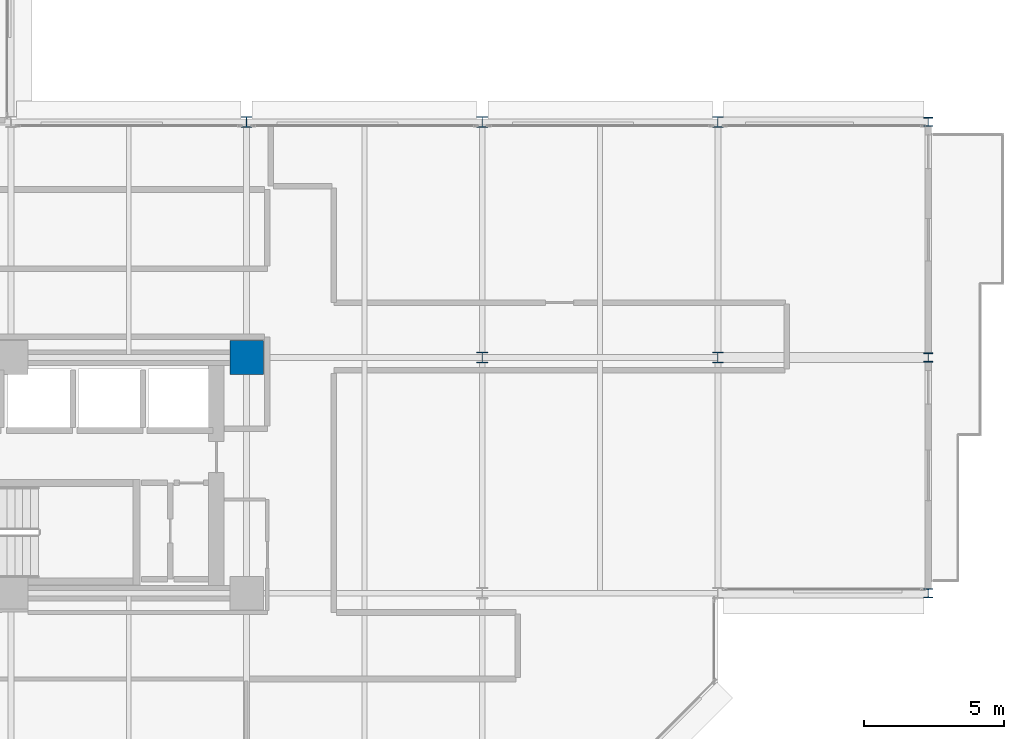
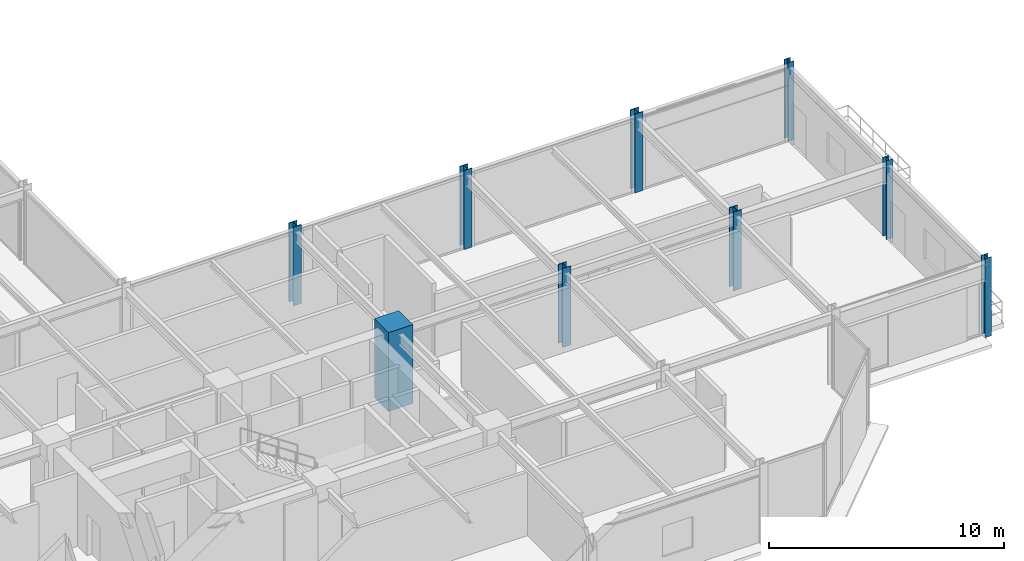
# One storey, part 2 of 39: 9 columns.
"""IFC4 building model written with IfcOpenShell, lengths in metres."""

from ifc_helpers import new_model, si_unit, direction, frame, origin, origin_2d, place, context, subcontext, project, spatial, rectangle, i_section, extrude, material, material_profile, profile_set, type_object, element, save


model = new_model("IFC4")

# Units and contexts
model_context = context("Model", 3, precision=1e-05, world=origin(), true_north=direction((0.0, 1.0)))
body_context = subcontext(model_context, "Body", "Model", "MODEL_VIEW")
ifc_project = project(units=[si_unit("LENGTHUNIT", "METRE"), si_unit("AREAUNIT", "SQUARE_METRE"), si_unit("VOLUMEUNIT", "CUBIC_METRE"), si_unit("PLANEANGLEUNIT", "RADIAN"), si_unit("MASSUNIT", "GRAM", prefix="KILO")], contexts=[model_context])

# Site, building, storey
site_placement = place(None, origin())
site = spatial("IfcSite", under=ifc_project, at=site_placement, CompositionType="ELEMENT")
building_placement = place(site_placement, origin())
building = spatial("IfcBuilding", under=site, at=building_placement, Name="Nerrivon Quay Data Exchange", CompositionType="ELEMENT")
storey_placement = place(building_placement, frame((0.0, 0.0, 104.89990234375)))
storey = spatial("IfcBuildingStorey", under=building, at=storey_placement, Name="L24", CompositionType="ELEMENT", Elevation=104.89990234375)

# Columns
ifc_material_1 = material(Name="Concrete S65 (65 MPa)", Category="concrete")
ifc_material_profile_1 = material_profile(ifc_material_1, rectangle(XDim=1.199951171875, YDim=1.199951171875, at=origin_2d()), Name="RC-COL-1200x1200")
ifc_profile_set_1 = profile_set([ifc_material_profile_1], Name="Concrete S65 (65 MPa)")
column_type_1 = type_object("IfcColumnType", Name="COL-C3-1200", PredefinedType="COLUMN", material=ifc_profile_set_1)
column_placement = place(storey_placement, frame((33.60009765625, 16.800048828125, 0.0), z_axis=(0.0, 0.0, 1.0), x_axis=(1.0, 0.0, 0.0)))
element("IfcColumn", 1, at=column_placement, inside=storey, type_object=column_type_1, Name="L24 Column (33.6,16.8)", PredefinedType="COLUMN", context=body_context, shape_type="SweptSolid", body=[
    extrude(rectangle(XDim=1.199951171875, YDim=1.199951171875, at=origin_2d()), origin(), (0.0, 0.0, 1.0), 4.10009765625),
])
ifc_material_2 = material(Name="Steel Grade 350", Category="steel")
ifc_material_profile_2 = material_profile(ifc_material_2, i_section(OverallWidth=0.39990234375, OverallDepth=0.39990234375, WebThickness=0.02490234375, FlangeThickness=0.0400390625, at=origin_2d()), Name="400WC328")
ifc_profile_set_2 = profile_set([ifc_material_profile_2], Name="Steel Grade 350")
column_type_2 = type_object("IfcColumnType", Name="COL-SC2-400WC", PredefinedType="COLUMN", material=ifc_profile_set_2)
for number, where, z_axis, x_axis, name in (
    (2, (33.60009765625, 25.199951171875, 0.0), (0.0, 0.0, 1.0), (1.0, 0.0, 0.0), "L24 Column (33.6,25.2)"),
    (3, (42.0, 16.800048828125, 0.0), (0.0, 0.0, 1.0), (1.0, 0.0, 0.0), "L24 Column (42.0,16.8)"),
    (4, (42.0, 25.199951171875, 0.0), (0.0, 0.0, 1.0), (1.0, 0.0, 0.0), "L24 Column (42.0,25.2)"),
    (5, (50.39990234375, 16.800048828125, 0.0), (0.0, 0.0, 1.0), (1.0, 0.0, 0.0), "L24 Column (50.4,16.8)"),
    (6, (50.39990234375, 25.199951171875, 0.0), (0.0, 0.0, 1.0), (1.0, 0.0, 0.0), "L24 Column (50.4,25.2)"),
):
    element("IfcColumn", number, at=place(storey_placement, frame(where, z_axis=z_axis, x_axis=x_axis)), inside=storey, type_object=column_type_2, Name=name, PredefinedType="COLUMN", context=body_context, shape_type="SweptSolid", body=[
        extrude(i_section(OverallWidth=0.39990234375, OverallDepth=0.39990234375, WebThickness=0.02490234375, FlangeThickness=0.0400390625, at=origin_2d()), origin(), (0.0, 0.0, 1.0), 4.10009765625),
    ])
ifc_material_profile_3 = material_profile(ifc_material_2, i_section(OverallWidth=0.31103515625, OverallDepth=0.326904296875, WebThickness=0.015625, FlangeThickness=0.02490234375, FilletRadius=0.0166015625, at=origin_2d()), Name="310UC158")
ifc_profile_set_3 = profile_set([ifc_material_profile_3], Name="Steel Grade 350")
column_type_3 = type_object("IfcColumnType", Name="COL-SC4-310UC158", PredefinedType="COLUMN", material=ifc_profile_set_3)
for number, where, z_axis, x_axis, name in (
    (7, (57.89990234375, 8.39990234375, 0.0), (0.0, 0.0, 1.0), (1.0, 0.0, 0.0), "L24 East Hooked Post (57.9,8.4)"),
    (8, (57.89990234375, 16.800048828125, 0.0), (0.0, 0.0, 1.0), (1.0, 0.0, 0.0), "L24 East Hooked Post (57.9,16.8)"),
    (9, (57.89990234375, 25.199951171875, 0.0), (0.0, 0.0, 1.0), (1.0, 0.0, 0.0), "L24 East Hooked Post (57.9,25.2)"),
):
    element("IfcColumn", number, at=place(storey_placement, frame(where, z_axis=z_axis, x_axis=x_axis)), inside=storey, type_object=column_type_3, Name=name, PredefinedType="COLUMN", context=body_context, shape_type="SweptSolid", body=[
        extrude(i_section(OverallWidth=0.31103515625, OverallDepth=0.326904296875, WebThickness=0.015625, FlangeThickness=0.02490234375, FilletRadius=0.0166015625, at=origin_2d()), origin(), (0.0, 0.0, 1.0), 4.10009765625),
    ])

save(model, "model.ifc")
